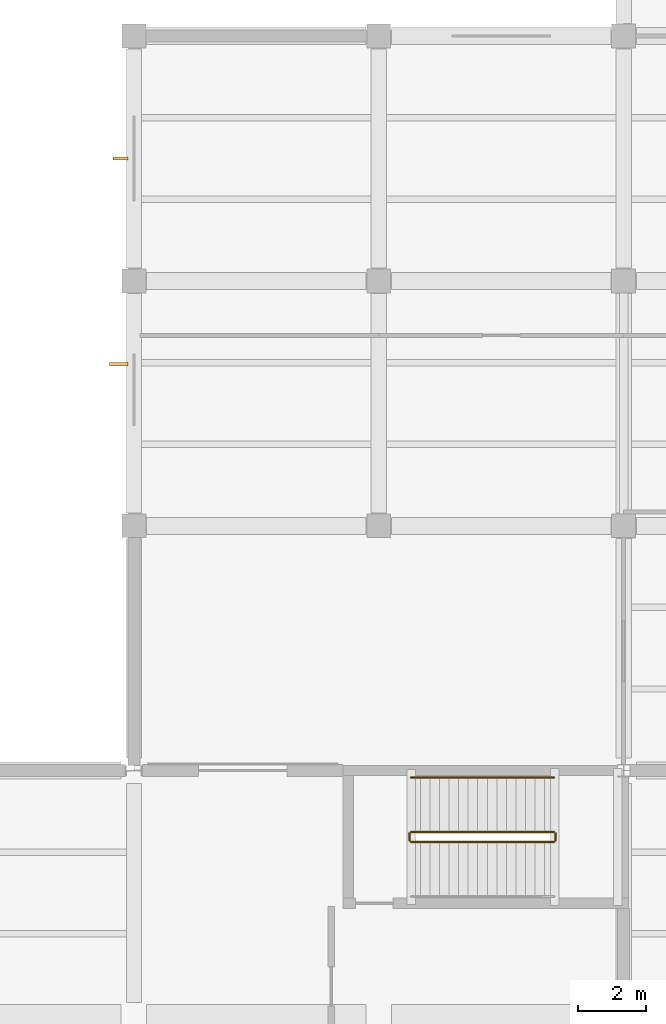
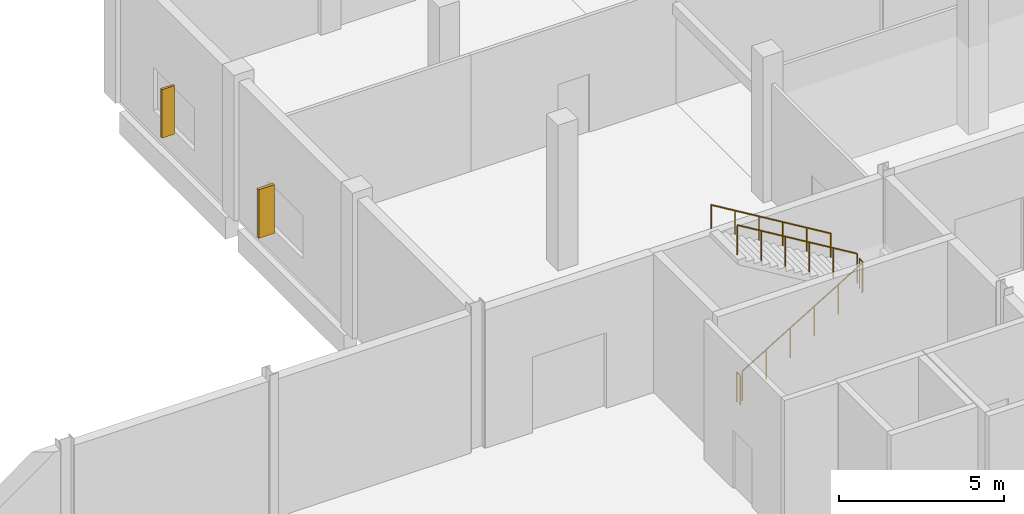
# One storey, part 43 of 46: 5 railings, 2 shading devices.
"""IFC4 building model written with IfcOpenShell, lengths in metres."""

from ifc_helpers import new_model, si_unit, direction, frame, origin, origin_2d, place, context, subcontext, project, spatial, rectangle, circle, extrude, material, type_object, element, save


model = new_model("IFC4")

# Units and contexts
model_context = context("Model", 3, precision=1e-05, world=origin(), true_north=direction((0.0, 1.0)))
body_context = subcontext(model_context, "Body", "Model", "MODEL_VIEW")
ifc_project = project(units=[si_unit("LENGTHUNIT", "METRE"), si_unit("AREAUNIT", "SQUARE_METRE"), si_unit("VOLUMEUNIT", "CUBIC_METRE"), si_unit("PLANEANGLEUNIT", "RADIAN"), si_unit("MASSUNIT", "GRAM", prefix="KILO"), si_unit("THERMODYNAMICTEMPERATUREUNIT", "KELVIN"), si_unit("POWERUNIT", "WATT")], contexts=[model_context])

# Site, building, storey
site_placement = place(None, origin())
site = spatial("IfcSite", under=ifc_project, at=site_placement, CompositionType="ELEMENT")
building_placement = place(site_placement, origin())
building = spatial("IfcBuilding", under=site, at=building_placement, Name="Kaldorven Railside Theatre", CompositionType="ELEMENT")
storey_placement = place(building_placement, origin())
storey = spatial("IfcBuildingStorey", under=building, at=storey_placement, Name="L00", CompositionType="ELEMENT", Elevation=0.0)

# Railings
ifc_material_1 = material(Name="Steel S355", Category="steel")
railing_type_1 = type_object("IfcRailingType", Name="RLG-STG-1100", PredefinedType="BALUSTRADE", material=ifc_material_1)
railing_1_placement = place(storey_placement, frame((116.949951171875, 110.699951171875, 0.168701171875)))
element("IfcRailing", 1, at=railing_1_placement, inside=storey, type_object=railing_type_1, Name="L00 ST-06 stair guard 1", PredefinedType="BALUSTRADE", context=body_context, shape_type="SweptSolid", body=[
    extrude(circle(Radius=0.02392578125, at=origin_2d()), frame((0.0, 0.0, 1.09619140625), z_axis=(0.856476492594, 0.0, 0.516186030065), x_axis=(0.0, 1.0, 0.0)), (0.0, 0.0, 1.0), 4.90380859375),
    extrude(circle(Radius=0.02099609375, at=origin_2d()), origin(), (0.0, 0.0, 1.0), 1.072021484375),
    extrude(circle(Radius=0.02099609375, at=origin_2d()), frame((0.840087890625, 0.0, 0.50634765625)), (0.0, 0.0, 1.0), 1.072021484375),
    extrude(circle(Radius=0.02099609375, at=origin_2d()), frame((1.679931640625, 0.0, 1.012451171875)), (0.0, 0.0, 1.0), 1.072021484375),
    extrude(circle(Radius=0.02099609375, at=origin_2d()), frame((2.52001953125, 0.0, 1.518798828125)), (0.0, 0.0, 1.0), 1.072021484375),
    extrude(circle(Radius=0.02099609375, at=origin_2d()), frame((3.35986328125, 0.0, 2.02490234375)), (0.0, 0.0, 1.0), 1.072021484375),
    extrude(circle(Radius=0.02099609375, at=origin_2d()), frame((4.199951171875, 0.0, 2.53125)), (0.0, 0.0, 1.0), 1.072021484375),
])
railing_2_placement = place(storey_placement, frame((121.199951171875, 110.75, 2.699951171875)))
element("IfcRailing", 2, at=railing_2_placement, inside=storey, type_object=railing_type_1, Name="L00 ST-06 stair guard 2", PredefinedType="BALUSTRADE", context=body_context, shape_type="SweptSolid", body=[
    extrude(circle(Radius=0.02392578125, at=origin_2d()), frame((0.0, 0.0, 1.09619140625), z_axis=(0.0, 1.0, 0.0), x_axis=(-1.0, 0.0, 0.0)), (0.0, 0.0, 1.0), 0.199951171875),
    extrude(circle(Radius=0.02099609375, at=origin_2d()), origin(), (0.0, 0.0, 1.0), 1.072021484375),
    extrude(circle(Radius=0.02099609375, at=origin_2d()), frame((0.0, 0.199951171875, 0.0)), (0.0, 0.0, 1.0), 1.072021484375),
])
railing_3_placement = place(storey_placement, frame((121.14990234375, 111.0, 2.86865234375)))
element("IfcRailing", 3, at=railing_3_placement, inside=storey, type_object=railing_type_1, Name="L00 ST-06 stair guard 3", PredefinedType="BALUSTRADE", context=body_context, shape_type="SweptSolid", body=[
    extrude(circle(Radius=0.02392578125, at=origin_2d()), frame((0.0, 0.0, 1.09619140625), z_axis=(-0.856476492594, 0.0, 0.516186030065), x_axis=(0.0, -1.0, 0.0)), (0.0, 0.0, 1.0), 4.90380859375),
    extrude(circle(Radius=0.02099609375, at=origin_2d()), origin(), (0.0, 0.0, 1.0), 1.072021484375),
    extrude(circle(Radius=0.02099609375, at=origin_2d()), frame((-0.840087890625, 0.0, 0.50634765625)), (0.0, 0.0, 1.0), 1.072021484375),
    extrude(circle(Radius=0.02099609375, at=origin_2d()), frame((-1.679931640625, 0.0, 1.012451171875)), (0.0, 0.0, 1.0), 1.072021484375),
    extrude(circle(Radius=0.02099609375, at=origin_2d()), frame((-2.52001953125, 0.0, 1.518798828125)), (0.0, 0.0, 1.0), 1.072021484375),
    extrude(circle(Radius=0.02099609375, at=origin_2d()), frame((-3.35986328125, 0.0, 2.02490234375)), (0.0, 0.0, 1.0), 1.072021484375),
    extrude(circle(Radius=0.02099609375, at=origin_2d()), frame((-4.199951171875, 0.0, 2.53125)), (0.0, 0.0, 1.0), 1.072021484375),
])
railing_4_placement = place(storey_placement, frame((116.89990234375, 110.75, 0.0)))
element("IfcRailing", 4, at=railing_4_placement, inside=storey, type_object=railing_type_1, Name="L00 ST-06 stair guard 4", PredefinedType="BALUSTRADE", context=body_context, shape_type="SweptSolid", body=[
    extrude(circle(Radius=0.02392578125, at=origin_2d()), frame((0.0, 0.0, 1.09619140625), z_axis=(0.0, 1.0, 0.0), x_axis=(-1.0, 0.0, 0.0)), (0.0, 0.0, 1.0), 0.199951171875),
    extrude(circle(Radius=0.02099609375, at=origin_2d()), origin(), (0.0, 0.0, 1.0), 1.072021484375),
    extrude(circle(Radius=0.02099609375, at=origin_2d()), frame((0.0, 0.199951171875, 0.0)), (0.0, 0.0, 1.0), 1.072021484375),
])
railing_type_2 = type_object("IfcRailingType", Name="RLG-STH-900", PredefinedType="HANDRAIL", material=ifc_material_1)
railing_5_placement = place(storey_placement, frame((121.14990234375, 112.60009765625, 2.86865234375)))
element("IfcRailing", 5, at=railing_5_placement, inside=storey, type_object=railing_type_2, Name="L00 ST-06 stair handrail 2", PredefinedType="HANDRAIL", context=body_context, shape_type="SweptSolid", body=[
    extrude(circle(Radius=0.02392578125, at=origin_2d()), frame((0.0, 0.0, 0.8759765625), z_axis=(-0.856476492594, 0.0, 0.516186030065), x_axis=(0.0, -1.0, 0.0)), (0.0, 0.0, 1.0), 4.90380859375),
    extrude(circle(Radius=0.02099609375, at=origin_2d()), origin(), (0.0, 0.0, 1.0), 0.851806640625),
    extrude(circle(Radius=0.02099609375, at=origin_2d()), frame((-0.840087890625, 0.0, 0.50634765625)), (0.0, 0.0, 1.0), 0.851806640625),
    extrude(circle(Radius=0.02099609375, at=origin_2d()), frame((-1.679931640625, 0.0, 1.012451171875)), (0.0, 0.0, 1.0), 0.851806640625),
    extrude(circle(Radius=0.02099609375, at=origin_2d()), frame((-2.52001953125, 0.0, 1.518798828125)), (0.0, 0.0, 1.0), 0.851806640625),
    extrude(circle(Radius=0.02099609375, at=origin_2d()), frame((-3.35986328125, 0.0, 2.02490234375)), (0.0, 0.0, 1.0), 0.851806640625),
    extrude(circle(Radius=0.02099609375, at=origin_2d()), frame((-4.199951171875, 0.0, 2.53125)), (0.0, 0.0, 1.0), 0.851806640625),
])

# Shading devices
ifc_material_2 = material(Name="Anodised bronze aluminium", Category="aluminium")
shading_device_type_1 = type_object("IfcShadingDeviceType", Name="SHD-FIN-01", PredefinedType="USERDEFINED", material=ifc_material_2)
shading_device_1_placement = place(storey_placement, frame((108.404052734375, 130.800048828125, 0.7998046875), z_axis=(0.0, 0.0, 1.0), x_axis=(0.0, 1.0, 0.0)))
element("IfcShadingDevice", 6, at=shading_device_1_placement, inside=storey, type_object=shading_device_type_1, Name="Anodised-Bronze Brise-Soleil Fin FIN-029", ObjectType="SUNSHADE", PredefinedType="USERDEFINED", context=body_context, shape_type="SweptSolid", body=[
    extrude(rectangle(XDim=0.080078125, YDim=0.449951171875, at=origin_2d()), origin(), (0.0, 0.0, 1.0), 1.800048828125),
])
shading_device_type_2 = type_object("IfcShadingDeviceType", Name="SHD-FIN-02", PredefinedType="USERDEFINED", material=ifc_material_2)
shading_device_2_placement = place(storey_placement, frame((108.35400390625, 124.75, 0.7998046875), z_axis=(0.0, 0.0, 1.0), x_axis=(0.0, 1.0, 0.0)))
element("IfcShadingDevice", 7, at=shading_device_2_placement, inside=storey, type_object=shading_device_type_2, Name="Anodised-Bronze Brise-Soleil Fin FIN-028", ObjectType="SUNSHADE", PredefinedType="USERDEFINED", context=body_context, shape_type="SweptSolid", body=[
    extrude(rectangle(XDim=0.10009765625, YDim=0.550048828125, at=origin_2d()), origin(), (0.0, 0.0, 1.0), 1.800048828125),
])

save(model, "model.ifc")
